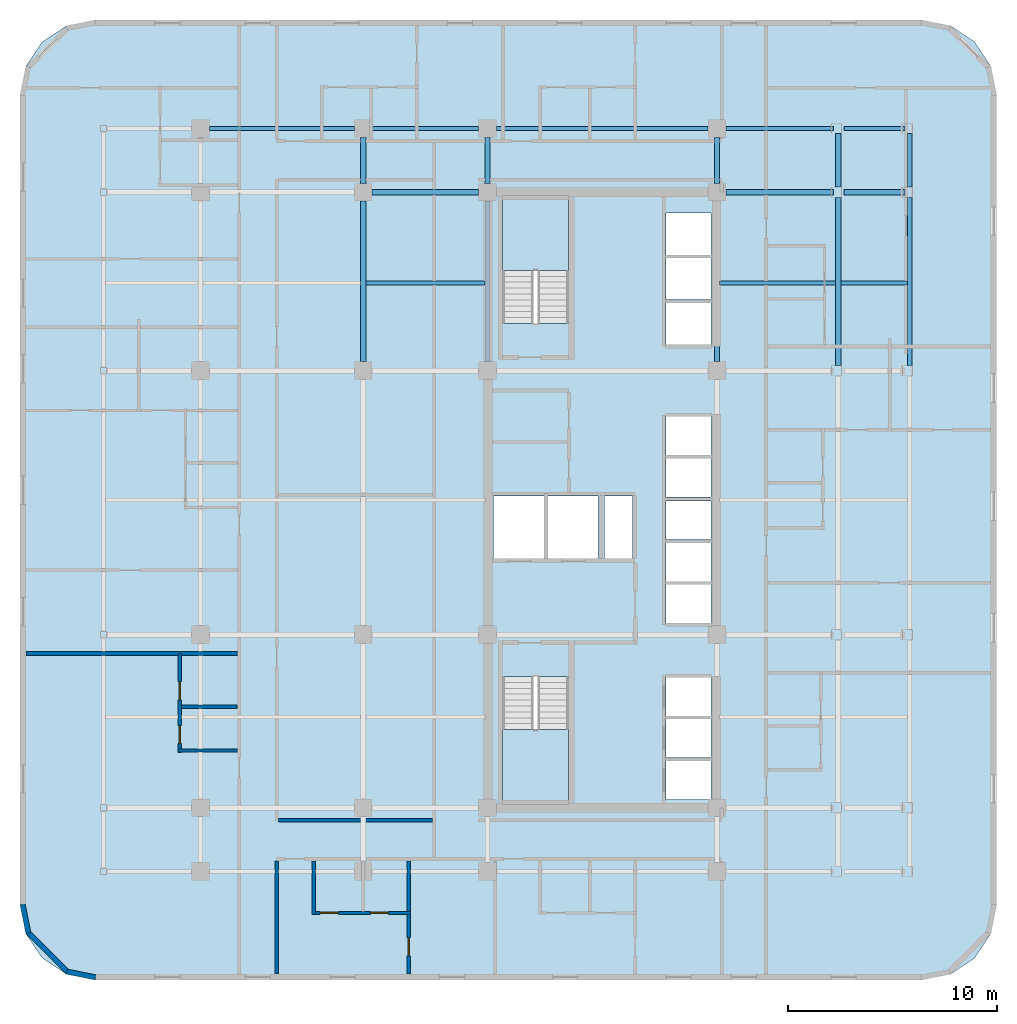
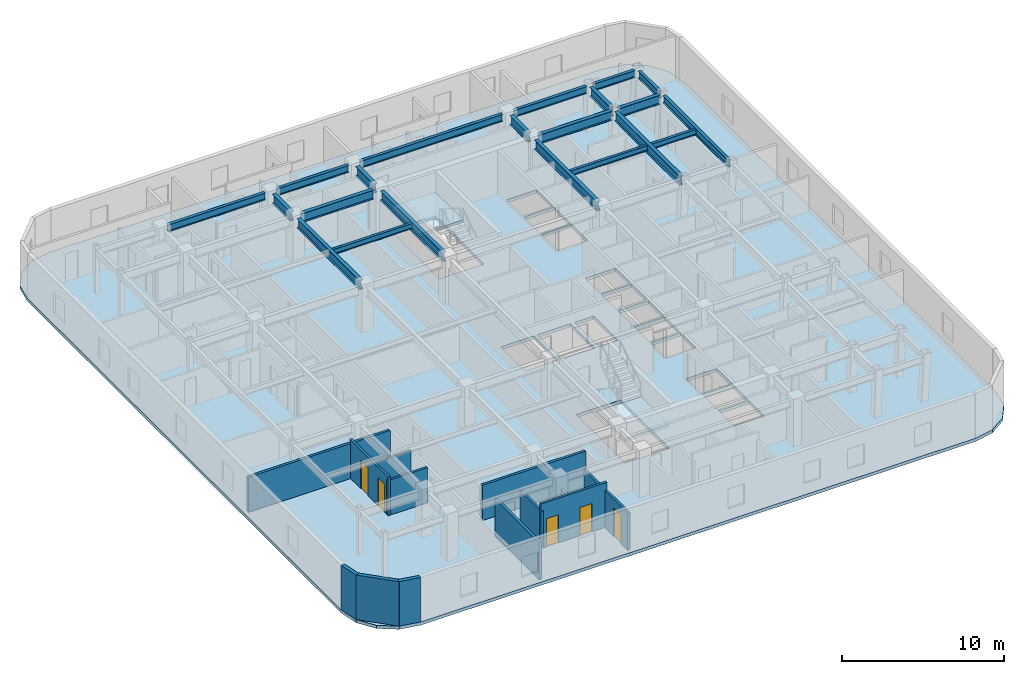
# One storey, part 5 of 12: 21 beams, 12 walls, 5 doors, 3 slabs, 5 openings, 2 elements without a shape of their own.
"""IFC4 building model written with IfcOpenShell, lengths in metres."""

from ifc_helpers import new_model, si_unit, direction, frame, frame_2d, origin, origin_2d, place, context, subcontext, project, spatial, polyline, rectangle, i_section, outline, extrude, material, layer, layer_set, material_profile, profile_set, type_object, element, fill, aggregate, save


model = new_model("IFC4")

# Units and contexts
model_context = context("Model", 3, precision=1e-05, world=origin(), true_north=direction((0.0, 1.0)))
body_context = subcontext(model_context, "Body", "Model", "MODEL_VIEW")
ifc_project = project(units=[si_unit("LENGTHUNIT", "METRE"), si_unit("AREAUNIT", "SQUARE_METRE"), si_unit("VOLUMEUNIT", "CUBIC_METRE"), si_unit("PLANEANGLEUNIT", "RADIAN"), si_unit("MASSUNIT", "GRAM", prefix="KILO")], contexts=[model_context])

# Site, building, storey
site_placement = place(None, origin())
site = spatial("IfcSite", under=ifc_project, at=site_placement, CompositionType="ELEMENT")
building_placement = place(site_placement, origin())
building = spatial("IfcBuilding", under=site, at=building_placement, Name="Ochreholt Gables", CompositionType="ELEMENT")
storey_placement = place(building_placement, frame((0.0, 0.0, 27.60009765625)))
storey = spatial("IfcBuildingStorey", under=building, at=storey_placement, Name="L06", CompositionType="ELEMENT", Elevation=27.60009765625)

# Beams
ifc_material_1 = material(Name="Steel CSA G40.21 350W", Category="steel")
ifc_material_profile_1 = material_profile(ifc_material_1, i_section(OverallWidth=0.256103515625, OverallDepth=0.693115234375, WebThickness=0.014404296875, FlangeThickness=0.023681640625, at=origin_2d()), Name="W690X170")
ifc_profile_set_1 = profile_set([ifc_material_profile_1], Name="Steel CSA G40.21 350W")
beam_type_1 = type_object("IfcBeamType", Name="BM-G-W690", PredefinedType="BEAM", material=ifc_profile_set_1)
beam_1_placement = place(storey_placement, frame((18.674560546875, 38.75, 3.013427734375), z_axis=(1.0, 0.0, 0.0), x_axis=(0.0, 1.0, 0.0)))
element("IfcBeam", 1, at=beam_1_placement, inside=storey, type_object=beam_type_1, Name="L06 Beam TBG-L06-W3C1-Y5", PredefinedType="BEAM", context=body_context, shape_type="SweptSolid", body=[
    extrude(i_section(OverallWidth=0.256103515625, OverallDepth=0.693115234375, WebThickness=0.014404296875, FlangeThickness=0.023681640625, at=origin_2d()), origin(), (0.0, 0.0, 1.0), 5.100830078125),
])
beam_2_placement = place(storey_placement, frame((35.62451171875, 38.75, 3.013427734375), z_axis=(1.0, 0.0, 0.0), x_axis=(0.0, 1.0, 0.0)))
element("IfcBeam", 2, at=beam_2_placement, inside=storey, type_object=beam_type_1, Name="L06 Beam TBG-L06-C2EM-Y5", PredefinedType="BEAM", context=body_context, shape_type="SweptSolid", body=[
    extrude(i_section(OverallWidth=0.256103515625, OverallDepth=0.693115234375, WebThickness=0.014404296875, FlangeThickness=0.023681640625, at=origin_2d()), origin(), (0.0, 0.0, 1.0), 5.15380859375),
])
beam_3_placement = place(storey_placement, frame((41.277587890625, 38.75, 3.013427734375), z_axis=(1.0, 0.0, 0.0), x_axis=(0.0, 1.0, 0.0)))
element("IfcBeam", 3, at=beam_3_placement, inside=storey, type_object=beam_type_1, Name="L06 Beam TBG-L06-EMEE-Y5", PredefinedType="BEAM", context=body_context, shape_type="SweptSolid", body=[
    extrude(i_section(OverallWidth=0.256103515625, OverallDepth=0.693115234375, WebThickness=0.014404296875, FlangeThickness=0.023681640625, at=origin_2d()), origin(), (0.0, 0.0, 1.0), 2.939208984375),
])
beam_4_placement = place(storey_placement, frame((18.25, 30.62451171875, 3.013427734375), z_axis=(0.0, 1.0, 0.0), x_axis=(-1.0, 0.0, 0.0)))
element("IfcBeam", 4, at=beam_4_placement, inside=storey, type_object=beam_type_1, Name="L06 Beam TBN-L06-W3-Y4Y5", PredefinedType="BEAM", context=body_context, shape_type="SweptSolid", body=[
    extrude(i_section(OverallWidth=0.256103515625, OverallDepth=0.693115234375, WebThickness=0.014404296875, FlangeThickness=0.023681640625, at=origin_2d()), origin(), (0.0, 0.0, 1.0), 7.700927734375),
])
beam_5_placement = place(storey_placement, frame((18.25, 39.174560546875, 3.013427734375), z_axis=(0.0, 1.0, 0.0), x_axis=(-1.0, 0.0, 0.0)))
element("IfcBeam", 5, at=beam_5_placement, inside=storey, type_object=beam_type_1, Name="L06 Beam TBN-L06-W3-Y5Y6", PredefinedType="BEAM", context=body_context, shape_type="SweptSolid", body=[
    extrude(i_section(OverallWidth=0.256103515625, OverallDepth=0.693115234375, WebThickness=0.014404296875, FlangeThickness=0.023681640625, at=origin_2d()), origin(), (0.0, 0.0, 1.0), 2.200927734375),
])
beam_6_placement = place(storey_placement, frame((24.199951171875, 30.62451171875, 3.013427734375), z_axis=(0.0, 1.0, 0.0), x_axis=(-1.0, 0.0, 0.0)))
element("IfcBeam", 6, at=beam_6_placement, inside=storey, type_object=beam_type_1, Name="L06 Beam TBN-L06-C1-Y4Y5", PredefinedType="BEAM", context=body_context, shape_type="SweptSolid", body=[
    extrude(i_section(OverallWidth=0.256103515625, OverallDepth=0.693115234375, WebThickness=0.014404296875, FlangeThickness=0.023681640625, at=origin_2d()), origin(), (0.0, 0.0, 1.0), 7.700927734375),
])
beam_7_placement = place(storey_placement, frame((24.199951171875, 39.174560546875, 3.013427734375), z_axis=(0.0, 1.0, 0.0), x_axis=(-1.0, 0.0, 0.0)))
element("IfcBeam", 7, at=beam_7_placement, inside=storey, type_object=beam_type_1, Name="L06 Beam TBN-L06-C1-Y5Y6", PredefinedType="BEAM", context=body_context, shape_type="SweptSolid", body=[
    extrude(i_section(OverallWidth=0.256103515625, OverallDepth=0.693115234375, WebThickness=0.014404296875, FlangeThickness=0.023681640625, at=origin_2d()), origin(), (0.0, 0.0, 1.0), 2.200927734375),
])
beam_8_placement = place(storey_placement, frame((35.199951171875, 30.62451171875, 3.013427734375), z_axis=(0.0, 1.0, 0.0), x_axis=(-1.0, 0.0, 0.0)))
element("IfcBeam", 8, at=beam_8_placement, inside=storey, type_object=beam_type_1, Name="L06 Beam TBN-L06-C2-Y4Y5", PredefinedType="BEAM", context=body_context, shape_type="SweptSolid", body=[
    extrude(i_section(OverallWidth=0.256103515625, OverallDepth=0.693115234375, WebThickness=0.014404296875, FlangeThickness=0.023681640625, at=origin_2d()), origin(), (0.0, 0.0, 1.0), 7.700927734375),
])
beam_9_placement = place(storey_placement, frame((35.199951171875, 39.174560546875, 3.013427734375), z_axis=(0.0, 1.0, 0.0), x_axis=(-1.0, 0.0, 0.0)))
element("IfcBeam", 9, at=beam_9_placement, inside=storey, type_object=beam_type_1, Name="L06 Beam TBN-L06-C2-Y5Y6", PredefinedType="BEAM", context=body_context, shape_type="SweptSolid", body=[
    extrude(i_section(OverallWidth=0.256103515625, OverallDepth=0.693115234375, WebThickness=0.014404296875, FlangeThickness=0.023681640625, at=origin_2d()), origin(), (0.0, 0.0, 1.0), 2.200927734375),
])
beam_10_placement = place(storey_placement, frame((41.0107421875, 30.44970703125, 3.013427734375), z_axis=(0.0, 1.0, 0.0), x_axis=(-1.0, 0.0, 0.0)))
element("IfcBeam", 10, at=beam_10_placement, inside=storey, type_object=beam_type_1, Name="L06 Beam TBN-L06-EM-Y4Y5", PredefinedType="BEAM", context=body_context, shape_type="SweptSolid", body=[
    extrude(i_section(OverallWidth=0.256103515625, OverallDepth=0.693115234375, WebThickness=0.014404296875, FlangeThickness=0.023681640625, at=origin_2d()), origin(), (0.0, 0.0, 1.0), 8.05078125),
])
beam_11_placement = place(storey_placement, frame((41.0107421875, 38.99951171875, 3.013427734375), z_axis=(0.0, 1.0, 0.0), x_axis=(-1.0, 0.0, 0.0)))
element("IfcBeam", 11, at=beam_11_placement, inside=storey, type_object=beam_type_1, Name="L06 Beam TBN-L06-EM-Y5Y6", PredefinedType="BEAM", context=body_context, shape_type="SweptSolid", body=[
    extrude(i_section(OverallWidth=0.256103515625, OverallDepth=0.693115234375, WebThickness=0.014404296875, FlangeThickness=0.023681640625, at=origin_2d()), origin(), (0.0, 0.0, 1.0), 2.55078125),
])
ifc_material_profile_2 = material_profile(ifc_material_1, i_section(OverallWidth=0.178955078125, OverallDepth=0.409912109375, WebThickness=0.0087890625, FlangeThickness=0.014404296875, at=origin_2d()), Name="W410X67")
ifc_profile_set_2 = profile_set([ifc_material_profile_2], Name="Steel CSA G40.21 350W")
beam_type_2 = type_object("IfcBeamType", Name="BM-J-W410", PredefinedType="JOIST", material=ifc_profile_set_2)
beam_12_placement = place(storey_placement, frame((18.377685546875, 34.39990234375, 3.15478515625), z_axis=(1.0, 0.0, 0.0), x_axis=(0.0, 1.0, 0.0)))
element("IfcBeam", 12, at=beam_12_placement, inside=storey, type_object=beam_type_2, Name="L06 Beam TBJ-L06-J3-W3C1", PredefinedType="JOIST", context=body_context, shape_type="SweptSolid", body=[
    extrude(i_section(OverallWidth=0.178955078125, OverallDepth=0.409912109375, WebThickness=0.0087890625, FlangeThickness=0.014404296875, at=origin_2d()), origin(), (0.0, 0.0, 1.0), 5.69482421875),
])
beam_13_placement = place(storey_placement, frame((35.32763671875, 34.39990234375, 3.15478515625), z_axis=(1.0, 0.0, 0.0), x_axis=(0.0, 1.0, 0.0)))
element("IfcBeam", 13, at=beam_13_placement, inside=storey, type_object=beam_type_2, Name="L06 Beam TBJ-L06-J3-C2EM", PredefinedType="JOIST", context=body_context, shape_type="SweptSolid", body=[
    extrude(i_section(OverallWidth=0.178955078125, OverallDepth=0.409912109375, WebThickness=0.0087890625, FlangeThickness=0.014404296875, at=origin_2d()), origin(), (0.0, 0.0, 1.0), 5.5556640625),
])
beam_14_placement = place(storey_placement, frame((41.138427734375, 34.39990234375, 3.15478515625), z_axis=(1.0, 0.0, 0.0), x_axis=(0.0, 1.0, 0.0)))
element("IfcBeam", 14, at=beam_14_placement, inside=storey, type_object=beam_type_2, Name="L06 Beam TBJ-L06-J3-EMEE", PredefinedType="JOIST", context=body_context, shape_type="SweptSolid", body=[
    extrude(i_section(OverallWidth=0.178955078125, OverallDepth=0.409912109375, WebThickness=0.0087890625, FlangeThickness=0.014404296875, at=origin_2d()), origin(), (0.0, 0.0, 1.0), 3.195556640625),
])
ifc_material_profile_3 = material_profile(ifc_material_1, i_section(OverallWidth=0.208984375, OverallDepth=0.532958984375, WebThickness=0.01025390625, FlangeThickness=0.015625, at=origin_2d()), Name="W530X92")
ifc_profile_set_3 = profile_set([ifc_material_profile_3], Name="Steel CSA G40.21 350W")
beam_type_3 = type_object("IfcBeamType", Name="BM-SP-W530B", PredefinedType="SPANDREL", material=ifc_profile_set_3)
beam_15_placement = place(storey_placement, frame((10.87451171875, 41.800048828125, 3.093505859375), z_axis=(1.0, 0.0, 0.0), x_axis=(0.0, 1.0, 0.0)))
element("IfcBeam", 15, at=beam_15_placement, inside=storey, type_object=beam_type_3, Name="L06 Beam TBG-L06-W2W3-Y6", PredefinedType="SPANDREL", context=body_context, shape_type="SweptSolid", body=[
    extrude(i_section(OverallWidth=0.208984375, OverallDepth=0.532958984375, WebThickness=0.01025390625, FlangeThickness=0.015625, at=origin_2d()), origin(), (0.0, 0.0, 1.0), 6.950927734375),
])
beam_16_placement = place(storey_placement, frame((18.674560546875, 41.800048828125, 3.093505859375), z_axis=(1.0, 0.0, 0.0), x_axis=(0.0, 1.0, 0.0)))
element("IfcBeam", 16, at=beam_16_placement, inside=storey, type_object=beam_type_3, Name="L06 Beam TBG-L06-W3C1-Y6", PredefinedType="SPANDREL", context=body_context, shape_type="SweptSolid", body=[
    extrude(i_section(OverallWidth=0.208984375, OverallDepth=0.532958984375, WebThickness=0.01025390625, FlangeThickness=0.015625, at=origin_2d()), origin(), (0.0, 0.0, 1.0), 5.100830078125),
])
beam_17_placement = place(storey_placement, frame((24.62451171875, 41.800048828125, 3.093505859375), z_axis=(1.0, 0.0, 0.0), x_axis=(0.0, 1.0, 0.0)))
element("IfcBeam", 17, at=beam_17_placement, inside=storey, type_object=beam_type_3, Name="L06 Beam TBG-L06-C1C2-Y6", PredefinedType="SPANDREL", context=body_context, shape_type="SweptSolid", body=[
    extrude(i_section(OverallWidth=0.208984375, OverallDepth=0.532958984375, WebThickness=0.01025390625, FlangeThickness=0.015625, at=origin_2d()), origin(), (0.0, 0.0, 1.0), 10.15087890625),
])
beam_18_placement = place(storey_placement, frame((35.62451171875, 41.800048828125, 3.093505859375), z_axis=(1.0, 0.0, 0.0), x_axis=(0.0, 1.0, 0.0)))
element("IfcBeam", 18, at=beam_18_placement, inside=storey, type_object=beam_type_3, Name="L06 Beam TBG-L06-C2EM-Y6", PredefinedType="SPANDREL", context=body_context, shape_type="SweptSolid", body=[
    extrude(i_section(OverallWidth=0.208984375, OverallDepth=0.532958984375, WebThickness=0.01025390625, FlangeThickness=0.015625, at=origin_2d()), origin(), (0.0, 0.0, 1.0), 5.15380859375),
])
beam_19_placement = place(storey_placement, frame((41.277587890625, 41.800048828125, 3.093505859375), z_axis=(1.0, 0.0, 0.0), x_axis=(0.0, 1.0, 0.0)))
element("IfcBeam", 19, at=beam_19_placement, inside=storey, type_object=beam_type_3, Name="L06 Beam TBG-L06-EMEE-Y6", PredefinedType="SPANDREL", context=body_context, shape_type="SweptSolid", body=[
    extrude(i_section(OverallWidth=0.208984375, OverallDepth=0.532958984375, WebThickness=0.01025390625, FlangeThickness=0.015625, at=origin_2d()), origin(), (0.0, 0.0, 1.0), 2.939208984375),
])
beam_20_placement = place(storey_placement, frame((44.43798828125, 30.44970703125, 3.093505859375), z_axis=(0.0, 1.0, 0.0), x_axis=(-1.0, 0.0, 0.0)))
element("IfcBeam", 20, at=beam_20_placement, inside=storey, type_object=beam_type_3, Name="L06 Beam TBN-L06-EE-Y4Y5", PredefinedType="SPANDREL", context=body_context, shape_type="SweptSolid", body=[
    extrude(i_section(OverallWidth=0.208984375, OverallDepth=0.532958984375, WebThickness=0.01025390625, FlangeThickness=0.015625, at=origin_2d()), origin(), (0.0, 0.0, 1.0), 8.05078125),
])
beam_21_placement = place(storey_placement, frame((44.43798828125, 38.99951171875, 3.093505859375), z_axis=(0.0, 1.0, 0.0), x_axis=(-1.0, 0.0, 0.0)))
element("IfcBeam", 21, at=beam_21_placement, inside=storey, type_object=beam_type_3, Name="L06 Beam TBN-L06-EE-Y5Y6", PredefinedType="SPANDREL", context=body_context, shape_type="SweptSolid", body=[
    extrude(i_section(OverallWidth=0.208984375, OverallDepth=0.532958984375, WebThickness=0.01025390625, FlangeThickness=0.015625, at=origin_2d()), origin(), (0.0, 0.0, 1.0), 2.55078125),
])

# Stair, slab
ifc_material_2 = material(Name="Concrete 40 MPa", Category="concrete")
stair_type_1 = type_object("IfcStairType", Name="STAIR-CORE-ST-1", PredefinedType="HALF_TURN_STAIR", material=ifc_material_2)
stair_1_placement = place(storey_placement, origin())
stair_1 = element("IfcStair", 22, at=stair_1_placement, inside=storey, type_object=stair_type_1, Name="L06 Core Exit Stair 1", PredefinedType="HALF_TURN_STAIR")
ifc_layer_1 = layer(ifc_material_2, 0.199951171875, Name="Concrete 40 MPa")
ifc_layer_set_1 = layer_set([ifc_layer_1], Name="Concrete 40 MPa")
slab_type_1 = type_object("IfcSlabType", Name="LANDING-RC200", PredefinedType="LANDING", material=ifc_layer_set_1)
slab_1_placement = place(storey_placement, frame((0.0, 0.0, 1.599853515625)))
slab_1 = element("IfcSlab", 23, at=slab_1_placement, type_object=slab_type_1, Name="ST-1 landing 1", PredefinedType="LANDING", context=body_context, shape_type="SweptSolid", body=[
    extrude(outline(polyline([(24.919921875, 13.001953125), (24.919921875, 9.52001953125), (28.080078125, 9.52001953125), (28.080078125, 13.001953125), (24.919921875, 13.001953125)])), origin(), (0.0, 0.0, 1.0), 0.199951171875),
])
aggregate(stair_1, [slab_1])

stair_type_2 = type_object("IfcStairType", Name="STAIR-CORE-ST-2", PredefinedType="HALF_TURN_STAIR", material=ifc_material_2)
stair_2_placement = place(storey_placement, origin())
stair_2 = element("IfcStair", 24, at=stair_2_placement, inside=storey, type_object=stair_type_2, Name="L06 Core Exit Stair 2", PredefinedType="HALF_TURN_STAIR")
slab_2_placement = place(storey_placement, frame((0.0, 0.0, 1.599853515625)))
slab_2 = element("IfcSlab", 25, at=slab_2_placement, type_object=slab_type_1, Name="ST-2 landing 1", PredefinedType="LANDING", context=body_context, shape_type="SweptSolid", body=[
    extrude(outline(polyline([(28.080078125, 34.998046875), (28.080078125, 38.47998046875), (24.919921875, 38.47998046875), (24.919921875, 34.998046875), (28.080078125, 34.998046875)])), origin(), (0.0, 0.0, 1.0), 0.199951171875),
])
aggregate(stair_2, [slab_2])

# Slab
ifc_layer_2 = layer(ifc_material_2, 0.239990234375, Name="Concrete 40 MPa")
ifc_layer_set_2 = layer_set([ifc_layer_2], Name="Concrete 40 MPa")
slab_type_2 = type_object("IfcSlabType", Name="SLAB-TWR-240", PredefinedType="FLOOR", material=ifc_layer_set_2)
slab_3_placement = place(storey_placement, frame((0.0, 0.0, -0.239990234375)))
element("IfcSlab", 26, at=slab_3_placement, inside=storey, type_object=slab_type_2, Name="L06 Structural Floor Slab", PredefinedType="FLOOR", context=body_context, shape_type="SweptSolid", body=[
    extrude(outline(polyline([(1.800048828125, 4.60009765625), (2.073974609375, 3.222412109375), (2.8544921875, 2.054443359375), (4.022216796875, 1.27392578125), (5.39990234375, 1.0), (45.0, 1.0), (46.377685546875, 1.27392578125), (47.545654296875, 2.054443359375), (48.325927734375, 3.222412109375), (48.60009765625, 4.60009765625), (48.60009765625, 43.39990234375), (48.325927734375, 44.777587890625), (47.545654296875, 45.945556640625), (46.377685546875, 46.72607421875), (45.0, 47.0), (5.39990234375, 47.0), (4.022216796875, 46.72607421875), (2.8544921875, 45.945556640625), (2.073974609375, 44.777587890625), (1.800048828125, 43.39990234375), (1.800048828125, 4.60009765625)]), holes=[polyline([(24.919921875, 15.539306640625), (24.919921875, 9.52001953125), (28.080078125, 9.52001953125), (28.080078125, 15.539306640625), (24.919921875, 15.539306640625)]), polyline([(28.080078125, 32.460693359375), (28.080078125, 38.47998046875), (24.919921875, 38.47998046875), (24.919921875, 32.460693359375), (28.080078125, 32.460693359375)]), polyline([(24.5, 21.199951171875), (26.89990234375, 21.199951171875), (26.89990234375, 24.199951171875), (24.5, 24.199951171875), (24.5, 21.199951171875)]), polyline([(27.10009765625, 21.199951171875), (29.5, 21.199951171875), (29.5, 24.199951171875), (27.10009765625, 24.199951171875), (27.10009765625, 21.199951171875)]), polyline([(32.75, 9.64990234375), (34.89990234375, 9.64990234375), (34.89990234375, 11.5), (32.75, 11.5), (32.75, 9.64990234375)]), polyline([(32.75, 11.64990234375), (34.89990234375, 11.64990234375), (34.89990234375, 13.5), (32.75, 13.5), (32.75, 11.64990234375)]), polyline([(32.75, 13.64990234375), (34.89990234375, 13.64990234375), (34.89990234375, 15.5), (32.75, 15.5), (32.75, 13.64990234375)]), polyline([(32.75, 18.10009765625), (34.89990234375, 18.10009765625), (34.89990234375, 19.949951171875), (32.75, 19.949951171875), (32.75, 18.10009765625)]), polyline([(32.75, 20.10009765625), (34.89990234375, 20.10009765625), (34.89990234375, 21.949951171875), (32.75, 21.949951171875), (32.75, 20.10009765625)]), polyline([(32.75, 22.10009765625), (34.89990234375, 22.10009765625), (34.89990234375, 23.949951171875), (32.75, 23.949951171875), (32.75, 22.10009765625)]), polyline([(32.75, 24.14990234375), (34.89990234375, 24.14990234375), (34.89990234375, 26.0), (32.75, 26.0), (32.75, 24.14990234375)]), polyline([(32.75, 26.14990234375), (34.89990234375, 26.14990234375), (34.89990234375, 28.0), (32.75, 28.0), (32.75, 26.14990234375)]), polyline([(32.75, 31.449951171875), (34.89990234375, 31.449951171875), (34.89990234375, 33.449951171875), (32.75, 33.449951171875), (32.75, 31.449951171875)]), polyline([(32.75, 33.60009765625), (34.89990234375, 33.60009765625), (34.89990234375, 35.60009765625), (32.75, 35.60009765625), (32.75, 33.60009765625)]), polyline([(32.75, 35.75), (34.89990234375, 35.75), (34.89990234375, 37.75), (32.75, 37.75), (32.75, 35.75)]), polyline([(29.800048828125, 21.199951171875), (31.14990234375, 21.199951171875), (31.14990234375, 24.199951171875), (29.800048828125, 24.199951171875), (29.800048828125, 21.199951171875)])]), origin(), (0.0, 0.0, 1.0), 0.239990234375),
])

# Walls
ifc_material_3 = material(Name="Precast concrete 40 MPa", Category="concrete")
ifc_layer_3 = layer(ifc_material_3, 0.25, Name="Precast concrete 40 MPa")
ifc_layer_set_3 = layer_set([ifc_layer_3], Name="Precast concrete 40 MPa")
wall_type_1 = type_object("IfcWallType", Name="WALL-EXT-CNR", PredefinedType="SOLIDWALL", material=ifc_layer_set_3)
wall_1_placement = place(storey_placement, frame((1.92431640625, 4.616455078125, 0.0), z_axis=(0.0, 0.0, 1.0), x_axis=(0.19496651342, -0.980809899341, 0.0)))
element("IfcWall", 27, at=wall_1_placement, inside=storey, type_object=wall_type_1, Name="L06 Rounded Corner Wall SW-1", PredefinedType="SOLIDWALL", context=body_context, shape_type="SweptSolid", body=[
    extrude(rectangle(XDim=1.388671875, YDim=0.25, at=frame_2d((0.6943359375, 0.0))), origin(), (0.0, 0.0, 1.0), 3.35986328125),
])
wall_2_placement = place(storey_placement, frame((2.16796875, 3.304931640625, 0.0), z_axis=(0.0, 0.0, 1.0), x_axis=(0.707106781187, -0.707106781187, 0.0)))
element("IfcWall", 28, at=wall_2_placement, inside=storey, type_object=wall_type_1, Name="L06 Rounded Corner Wall SW-2", PredefinedType="SOLIDWALL", context=body_context, shape_type="SweptSolid", body=[
    extrude(rectangle(XDim=2.7392578125, YDim=0.25, at=frame_2d((1.36962890625, 0.0))), origin(), (0.0, 0.0, 1.0), 3.35986328125),
])
wall_3_placement = place(storey_placement, frame((4.054443359375, 1.39501953125, 0.0), z_axis=(0.0, 0.0, 1.0), x_axis=(0.980809899341, -0.19496651342, 0.0)))
element("IfcWall", 29, at=wall_3_placement, inside=storey, type_object=wall_type_1, Name="L06 Rounded Corner Wall SW-3", PredefinedType="SOLIDWALL", context=body_context, shape_type="SweptSolid", body=[
    extrude(rectangle(XDim=1.388671875, YDim=0.25, at=frame_2d((0.6943359375, 0.0))), origin(), (0.0, 0.0, 1.0), 3.35986328125),
])
ifc_material_4 = material(Name="Fire-Rated Gypsum Acoustic Partition", Category="gypsum")
ifc_layer_4 = layer(ifc_material_4, 0.179931640625, Name="Fire-Rated Gypsum Acoustic Partition")
ifc_layer_set_4 = layer_set([ifc_layer_4], Name="Fire-Rated Gypsum Acoustic Partition")
wall_type_2 = type_object("IfcWallType", Name="WALL-INT-CR180", PredefinedType="STANDARD", material=ifc_layer_set_4)
wall_4_placement = place(storey_placement, frame((14.18994140625, 8.64990234375, 0.0), z_axis=(0.0, 0.0, 1.0), x_axis=(1.0, 0.0, 0.0)))
element("IfcWall", 30, at=wall_4_placement, inside=storey, type_object=wall_type_2, Name="L06 Interior Wall WI-C1S2W-L06", PredefinedType="STANDARD", context=body_context, shape_type="SweptSolid", body=[
    extrude(rectangle(XDim=7.3701171875, YDim=0.179931640625, at=frame_2d((3.68505859375, 0.0))), origin(), (0.0, 0.0, 1.0), 2.64892578125),
])
ifc_material_5 = material(Name="Double-Stud Acoustic Demising Wall", Category="gypsum")
ifc_layer_5 = layer(ifc_material_5, 0.179931640625, Name="Double-Stud Acoustic Demising Wall")
ifc_layer_set_5 = layer_set([ifc_layer_5], Name="Double-Stud Acoustic Demising Wall")
wall_type_3 = type_object("IfcWallType", Name="WALL-INT-DM180", PredefinedType="PARTITIONING", material=ifc_layer_set_5)
wall_5_placement = place(storey_placement, frame((14.10009765625, 1.2900390625, 0.0), z_axis=(0.0, 0.0, 1.0), x_axis=(0.0, 1.0, 0.0)))
element("IfcWall", 31, at=wall_5_placement, inside=storey, type_object=wall_type_3, Name="L06 Interior Wall WI-C1WSI-L06", PredefinedType="PARTITIONING", context=body_context, shape_type="SweptSolid", body=[
    extrude(rectangle(XDim=5.419921875, YDim=0.179931640625, at=frame_2d((2.7099609375, 0.0))), origin(), (0.0, 0.0, 1.0), 2.808837890625),
])
wall_6_placement = place(storey_placement, frame((2.090087890625, 16.639892578125, 0.0), z_axis=(0.0, 0.0, 1.0), x_axis=(1.0, 0.0, 0.0)))
element("IfcWall", 32, at=wall_6_placement, inside=storey, type_object=wall_type_3, Name="L06 Interior Wall WI-UDW2-L06", PredefinedType="PARTITIONING", context=body_context, shape_type="SweptSolid", body=[
    extrude(rectangle(XDim=10.119873046875, YDim=0.179931640625, at=frame_2d((5.06005859375, 0.0))), origin(), (0.0, 0.0, 1.0), 2.64892578125),
])
ifc_material_6 = material(Name="Moisture-Resistant Plumbing Chase Wall", Category="gypsum")
ifc_layer_6 = layer(ifc_material_6, 0.159912109375, Name="Moisture-Resistant Plumbing Chase Wall")
ifc_layer_set_6 = layer_set([ifc_layer_6], Name="Moisture-Resistant Plumbing Chase Wall")
wall_type_4 = type_object("IfcWallType", Name="WALL-INT-PL160", PredefinedType="PLUMBINGWALL", material=ifc_layer_set_6)
wall_7_placement = place(storey_placement, frame((9.3759765625, 12.0, 0.0), z_axis=(0.0, 0.0, 1.0), x_axis=(1.0, 0.0, 0.0)))
element("IfcWall", 33, at=wall_7_placement, inside=storey, type_object=wall_type_4, Name="L06 Interior Wall WU-L06W1-WYS", PredefinedType="PLUMBINGWALL", context=body_context, shape_type="SweptSolid", body=[
    extrude(rectangle(XDim=2.833984375, YDim=0.159912109375, at=frame_2d((1.4169921875, 0.0))), origin(), (0.0, 0.0, 1.0), 2.64892578125),
])

# Wall, openings, doors
wall_8_placement = place(storey_placement, frame((9.4560546875, 11.909912109375, 0.0), z_axis=(0.0, 0.0, 1.0), x_axis=(0.0, 1.0, 0.0)))
wall_8 = element("IfcWall", 34, at=wall_8_placement, inside=storey, type_object=wall_type_4, Name="L06 Interior Wall WU-L06W1-WX", PredefinedType="PLUMBINGWALL", context=body_context, shape_type="SweptSolid", body=[
    extrude(rectangle(XDim=4.72998046875, YDim=0.159912109375, at=frame_2d((2.364990234375, 0.0))), origin(), (0.0, 0.0, 1.0), 2.931884765625),
])
opening_1_placement = place(wall_8_placement, frame((0.419921875, 0.0, 0.0)))
opening_1 = element("IfcOpeningElement", 35, at=opening_1_placement, cuts=wall_8, Name="Opening D-BT1", PredefinedType="OPENING", context=body_context, shape_type="SweptSolid", body=[
    extrude(rectangle(XDim=0.860107421875, YDim=2.1201171875, at=frame_2d((0.43017578125, 1.06005859375))), frame((0.0, 0.08984375, 0.0), z_axis=(0.0, -1.0, 0.0), x_axis=(1.0, 0.0, 0.0)), (0.0, 0.0, 1.0), 0.179931640625),
])
opening_2_placement = place(wall_8_placement, frame((2.512939453125, 0.0, 0.0)))
opening_2 = element("IfcOpeningElement", 36, at=opening_2_placement, cuts=wall_8, Name="Opening D-GN2", PredefinedType="OPENING", context=body_context, shape_type="SweptSolid", body=[
    extrude(rectangle(XDim=0.8798828125, YDim=2.1201171875, at=frame_2d((0.43994140625, 1.06005859375))), frame((0.0, 0.08984375, 0.0), z_axis=(0.0, -1.0, 0.0), x_axis=(1.0, 0.0, 0.0)), (0.0, 0.0, 1.0), 0.179931640625),
])
ifc_material_7 = material(Name="Engineered Oak Timber", Category="wood")
door_type_1 = type_object("IfcDoorType", Name="DR-INT-BTH860", OperationType="NOTDEFINED", PredefinedType="DOOR", material=ifc_material_7)
door_1_placement = place(opening_1_placement, origin())
door_1 = element("IfcDoor", 37, at=door_1_placement, inside=storey, type_object=door_type_1, Name="L06 Door D-U-L06W1-BTH", OperationType="SINGLE_SWING_RIGHT", OverallHeight=2.1201171875, OverallWidth=0.860107421875, PredefinedType="DOOR", context=body_context, shape_type="SweptSolid", body=[
    extrude(rectangle(XDim=0.860107421875, YDim=2.1201171875, at=frame_2d((0.43017578125, 1.06005859375))), frame((0.0, 0.02490234375, 0.0), z_axis=(0.0, -1.0, 0.0), x_axis=(1.0, 0.0, 0.0)), (0.0, 0.0, 1.0), 0.050048828125),
])
fill(opening_1, door_1)
door_type_2 = type_object("IfcDoorType", Name="DR-INT-GEN880", OperationType="NOTDEFINED", PredefinedType="DOOR", material=ifc_material_7)
door_2_placement = place(opening_2_placement, origin())
door_2 = element("IfcDoor", 38, at=door_2_placement, inside=storey, type_object=door_type_2, Name="L06 Door D-U-L06W1-KIT", OperationType="SINGLE_SWING_LEFT", OverallHeight=2.1201171875, OverallWidth=0.8798828125, PredefinedType="DOOR", context=body_context, shape_type="SweptSolid", body=[
    extrude(rectangle(XDim=0.8798828125, YDim=2.1201171875, at=frame_2d((0.43994140625, 1.06005859375))), frame((0.0, 0.02490234375, 0.0), z_axis=(0.0, -1.0, 0.0), x_axis=(1.0, 0.0, 0.0)), (0.0, 0.0, 1.0), 0.050048828125),
])
fill(opening_2, door_2)

# Wall
wall_9_placement = place(storey_placement, frame((9.535888671875, 14.093017578125, 0.0), z_axis=(0.0, 0.0, 1.0), x_axis=(1.0, 0.0, 0.0)))
element("IfcWall", 39, at=wall_9_placement, inside=storey, type_object=wall_type_4, Name="L06 Interior Wall WU-L06W1-WM", PredefinedType="PLUMBINGWALL", context=body_context, shape_type="SweptSolid", body=[
    extrude(rectangle(XDim=2.674072265625, YDim=0.159912109375, at=frame_2d((1.3369140625, 0.0))), origin(), (0.0, 0.0, 1.0), 2.64892578125),
])

# Wall, openings, doors
wall_10_placement = place(storey_placement, frame((15.80029296875, 4.21240234375, 0.0), z_axis=(0.0, 0.0, 1.0), x_axis=(1.0, 0.0, 0.0)))
wall_10 = element("IfcWall", 40, at=wall_10_placement, inside=storey, type_object=wall_type_4, Name="L06 Interior Wall WU-L06S1-WY", PredefinedType="PLUMBINGWALL", context=body_context, shape_type="SweptSolid", body=[
    extrude(rectangle(XDim=4.710205078125, YDim=0.159912109375, at=frame_2d((2.35498046875, 0.0))), origin(), (0.0, 0.0, 1.0), 3.35986328125),
])
opening_3_placement = place(wall_10_placement, frame((0.3798828125, 0.0, 0.0)))
opening_3 = element("IfcOpeningElement", 41, at=opening_3_placement, cuts=wall_10, Name="Opening D-GN2", PredefinedType="OPENING", context=body_context, shape_type="SweptSolid", body=[
    extrude(rectangle(XDim=0.8798828125, YDim=2.1201171875, at=frame_2d((0.43994140625, 1.06005859375))), frame((0.0, 0.08984375, 0.0), z_axis=(0.0, -1.0, 0.0), x_axis=(1.0, 0.0, 0.0)), (0.0, 0.0, 1.0), 0.179931640625),
])
opening_4_placement = place(wall_10_placement, frame((2.785888671875, 0.0, 0.0)))
opening_4 = element("IfcOpeningElement", 42, at=opening_4_placement, cuts=wall_10, Name="Opening D-BT1", PredefinedType="OPENING", context=body_context, shape_type="SweptSolid", body=[
    extrude(rectangle(XDim=0.860107421875, YDim=2.1201171875, at=frame_2d((0.43017578125, 1.06005859375))), frame((0.0, 0.08984375, 0.0), z_axis=(0.0, -1.0, 0.0), x_axis=(1.0, 0.0, 0.0)), (0.0, 0.0, 1.0), 0.179931640625),
])
door_3_placement = place(opening_4_placement, origin())
door_3 = element("IfcDoor", 43, at=door_3_placement, inside=storey, type_object=door_type_1, Name="L06 Door D-U-L06S1-BTH", OperationType="SINGLE_SWING_LEFT", OverallHeight=2.1201171875, OverallWidth=0.860107421875, PredefinedType="DOOR", context=body_context, shape_type="SweptSolid", body=[
    extrude(rectangle(XDim=0.860107421875, YDim=2.1201171875, at=frame_2d((0.43017578125, 1.06005859375))), frame((0.0, 0.02490234375, 0.0), z_axis=(0.0, -1.0, 0.0), x_axis=(1.0, 0.0, 0.0)), (0.0, 0.0, 1.0), 0.050048828125),
])
fill(opening_4, door_3)
door_4_placement = place(opening_3_placement, origin())
door_4 = element("IfcDoor", 44, at=door_4_placement, inside=storey, type_object=door_type_2, Name="L06 Door D-U-L06S1-KIT", OperationType="SINGLE_SWING_RIGHT", OverallHeight=2.1201171875, OverallWidth=0.8798828125, PredefinedType="DOOR", context=body_context, shape_type="SweptSolid", body=[
    extrude(rectangle(XDim=0.8798828125, YDim=2.1201171875, at=frame_2d((0.43994140625, 1.06005859375))), frame((0.0, 0.02490234375, 0.0), z_axis=(0.0, -1.0, 0.0), x_axis=(1.0, 0.0, 0.0)), (0.0, 0.0, 1.0), 0.050048828125),
])
fill(opening_3, door_4)

# Wall
wall_11_placement = place(storey_placement, frame((15.88037109375, 4.132568359375, 0.0), z_axis=(0.0, 0.0, 1.0), x_axis=(0.0, 1.0, 0.0)))
element("IfcWall", 45, at=wall_11_placement, inside=storey, type_object=wall_type_4, Name="L06 Interior Wall WU-L06S1-FY", PredefinedType="PLUMBINGWALL", context=body_context, shape_type="SweptSolid", body=[
    extrude(rectangle(XDim=2.577392578125, YDim=0.159912109375, at=frame_2d((1.28857421875, 0.0))), origin(), (0.0, 0.0, 1.0), 2.808837890625),
])

# Wall, opening, door
ifc_material_8 = material(Name="Gypsum Acoustic Stud Partition", Category="gypsum")
ifc_layer_7 = layer(ifc_material_8, 0.159912109375, Name="Gypsum Acoustic Stud Partition")
ifc_layer_set_7 = layer_set([ifc_layer_7], Name="Gypsum Acoustic Stud Partition")
wall_type_5 = type_object("IfcWallType", Name="WALL-INT-PT160", PredefinedType="PARTITIONING", material=ifc_layer_set_7)
wall_12_placement = place(storey_placement, frame((20.430419921875, 1.2900390625, 0.0), z_axis=(0.0, 0.0, 1.0), x_axis=(0.0, 1.0, 0.0)))
wall_12 = element("IfcWall", 46, at=wall_12_placement, inside=storey, type_object=wall_type_5, Name="L06 Interior Wall WU-L06S1-MNX", PredefinedType="PARTITIONING", context=body_context, shape_type="SweptSolid", body=[
    extrude(rectangle(XDim=5.419921875, YDim=0.159912109375, at=frame_2d((2.7099609375, 0.0))), origin(), (0.0, 0.0, 1.0), 2.808837890625),
])
opening_5_placement = place(wall_12_placement, frame((0.861328125, 0.0, 0.0)))
opening_5 = element("IfcOpeningElement", 47, at=opening_5_placement, cuts=wall_12, Name="Opening D-BD2", PredefinedType="OPENING", context=body_context, shape_type="SweptSolid", body=[
    extrude(rectangle(XDim=0.8798828125, YDim=2.139892578125, at=frame_2d((0.43994140625, 1.06982421875))), frame((0.0, 0.08984375, 0.0), z_axis=(0.0, -1.0, 0.0), x_axis=(1.0, 0.0, 0.0)), (0.0, 0.0, 1.0), 0.179931640625),
])
door_type_3 = type_object("IfcDoorType", Name="DR-INT-BED880", OperationType="NOTDEFINED", PredefinedType="DOOR", material=ifc_material_7)
door_5_placement = place(opening_5_placement, origin())
door_5 = element("IfcDoor", 48, at=door_5_placement, inside=storey, type_object=door_type_3, Name="L06 Door D-U-L06S1-BD1", OperationType="SINGLE_SWING_RIGHT", OverallHeight=2.139892578125, OverallWidth=0.8798828125, PredefinedType="DOOR", context=body_context, shape_type="SweptSolid", body=[
    extrude(rectangle(XDim=0.8798828125, YDim=2.139892578125, at=frame_2d((0.43994140625, 1.06982421875))), frame((0.0, 0.02490234375, 0.0), z_axis=(0.0, -1.0, 0.0), x_axis=(1.0, 0.0, 0.0)), (0.0, 0.0, 1.0), 0.050048828125),
])
fill(opening_5, door_5)

save(model, "model.ifc")
